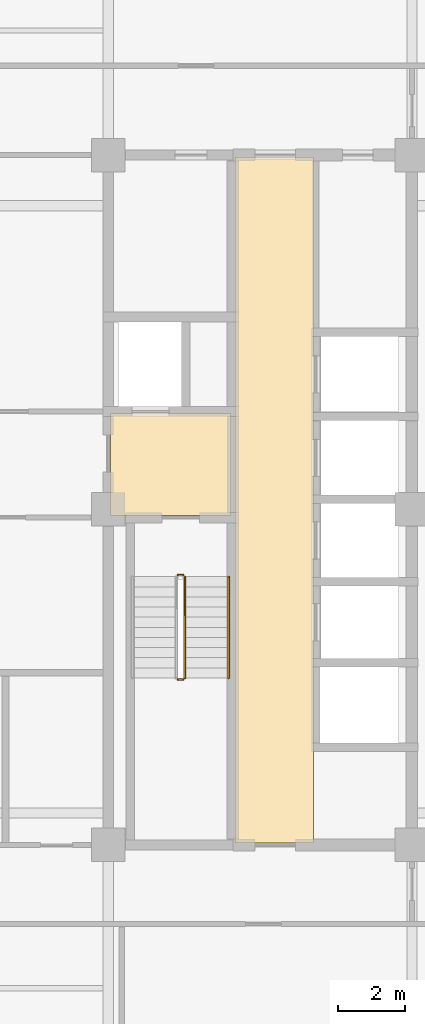
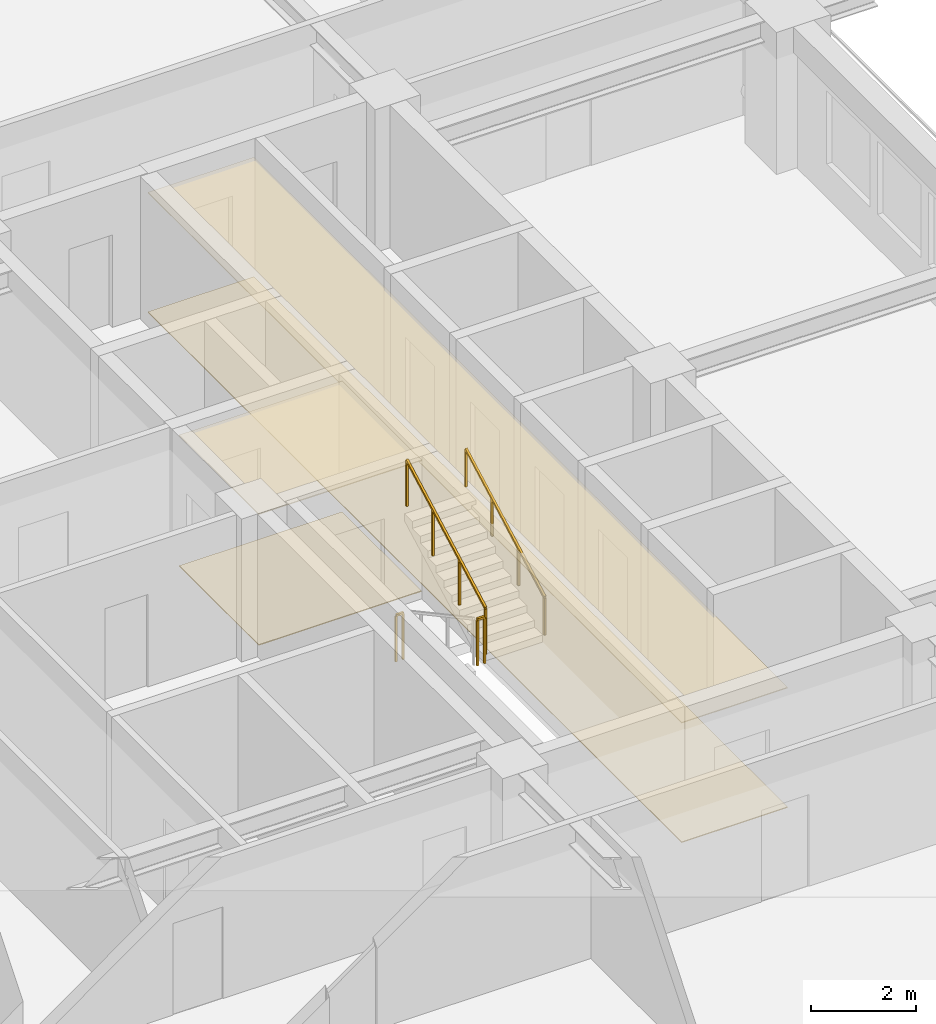
# One storey, part 12 of 13: 4 coverings, 4 railings.
"""IFC4 building model written with IfcOpenShell, lengths in metres."""

from ifc_helpers import new_model, si_unit, direction, frame, origin, origin_2d, place, context, subcontext, project, spatial, polyline, rectangle, outline, extrude, material, layer, layer_set, type_object, element, save


model = new_model("IFC4")

# Units and contexts
model_context = context("Model", 3, precision=1e-05, world=origin(), true_north=direction((0.0, 1.0)))
body_context = subcontext(model_context, "Body", "Model", "MODEL_VIEW")
ifc_project = project(units=[si_unit("LENGTHUNIT", "METRE"), si_unit("AREAUNIT", "SQUARE_METRE"), si_unit("VOLUMEUNIT", "CUBIC_METRE"), si_unit("PLANEANGLEUNIT", "RADIAN"), si_unit("MASSUNIT", "GRAM", prefix="KILO")], contexts=[model_context])

# Site, building, storey
site_placement = place(None, origin())
site = spatial("IfcSite", under=ifc_project, at=site_placement, CompositionType="ELEMENT")
building_placement = place(site_placement, origin())
building = spatial("IfcBuilding", under=site, at=building_placement, Name="Zulmaris Gate Convention Tower", CompositionType="ELEMENT")
storey_placement = place(building_placement, frame((0.0, 0.0, 105.639892578125)))
storey = spatial("IfcBuildingStorey", under=building, at=storey_placement, Name="L26", CompositionType="ELEMENT", Elevation=105.639892578125)

# Coverings
ifc_material_1 = material(Name="Mineral Fibre Acoustic Ceiling Tile")
ifc_layer_1 = layer(ifc_material_1, 0.02001953125, Name="Mineral Fibre Acoustic Ceiling Tile")
ifc_layer_set_1 = layer_set([ifc_layer_1], Name="Mineral Fibre Acoustic Ceiling Tile")
covering_type_1 = type_object("IfcCoveringType", Name="CLG-ACOUSTIC-600", PredefinedType="CEILING", material=ifc_layer_set_1)
covering_1_placement = place(storey_placement, frame((0.0, 0.0, 3.0400390625)))
element("IfcCovering", 1, at=covering_1_placement, inside=storey, type_object=covering_type_1, Name="CLG-L26-R08", PredefinedType="CEILING", context=body_context, shape_type="SweptSolid", body=[
    extrude(outline(polyline([(11.06005859375, -0.18994140625), (14.639892578125, -0.18994140625), (14.639892578125, 2.840087890625), (11.06005859375, 2.840087890625), (11.06005859375, -0.18994140625)])), origin(), (0.0, 0.0, 1.0), 0.02001953125),
])
covering_2_placement = place(storey_placement, frame((0.0, 0.0, 2.778076171875)))
element("IfcCovering", 2, at=covering_2_placement, inside=storey, type_object=covering_type_1, Name="CLG-L26-R21", PredefinedType="CEILING", context=body_context, shape_type="SweptSolid", body=[
    extrude(outline(polyline([(14.760009765625, -9.889892578125), (17.090087890625, -9.889892578125), (17.090087890625, 10.43994140625), (14.760009765625, 10.43994140625), (14.760009765625, -9.889892578125)])), origin(), (0.0, 0.0, 1.0), 0.02001953125),
])
ifc_material_2 = material(Name="Woven Acoustic Wool Carpet Tile")
ifc_layer_2 = layer(ifc_material_2, 0.02001953125, Name="Woven Acoustic Wool Carpet Tile")
ifc_layer_set_2 = layer_set([ifc_layer_2], Name="Woven Acoustic Wool Carpet Tile")
covering_type_2 = type_object("IfcCoveringType", Name="FLR-CARPET-12", PredefinedType="FLOORING", material=ifc_layer_set_2)
covering_3_placement = place(storey_placement, origin())
element("IfcCovering", 3, at=covering_3_placement, inside=storey, type_object=covering_type_2, Name="FLR-L26-R08", PredefinedType="FLOORING", context=body_context, shape_type="SweptSolid", body=[
    extrude(outline(polyline([(11.06005859375, -0.18994140625), (14.639892578125, -0.18994140625), (14.639892578125, 2.840087890625), (11.06005859375, 2.840087890625), (11.06005859375, -0.18994140625)])), origin(), (0.0, 0.0, 1.0), 0.02001953125),
])
covering_4_placement = place(storey_placement, origin())
element("IfcCovering", 4, at=covering_4_placement, inside=storey, type_object=covering_type_2, Name="FLR-L26-R21", PredefinedType="FLOORING", context=body_context, shape_type="SweptSolid", body=[
    extrude(outline(polyline([(14.760009765625, -9.889892578125), (17.090087890625, -9.889892578125), (17.090087890625, 10.43994140625), (14.760009765625, 10.43994140625), (14.760009765625, -9.889892578125)])), origin(), (0.0, 0.0, 1.0), 0.02001953125),
])

# Railings
ifc_material_3 = material(Name="Painted Galvanised Steel", Category="steel")
railing_type_1 = type_object("IfcRailingType", Name="RL-STG-1150", PredefinedType="GUARDRAIL", material=ifc_material_3)
railing_1_placement = place(storey_placement, frame((13.06005859375, -5.050048828125, 1.78515625)))
element("IfcRailing", 5, at=railing_1_placement, inside=storey, type_object=railing_type_1, Name="L26 ST-2 stair guard 2", PredefinedType="GUARDRAIL", context=body_context, shape_type="SweptSolid", body=[
    extrude(rectangle(XDim=0.048095703125, YDim=0.048095703125, at=origin_2d()), frame((0.0, 0.0, 1.076171875), z_axis=(1.0, 0.0, 0.0), x_axis=(0.0, 1.0, 0.0)), (0.0, 0.0, 1.0), 0.159912109375),
    extrude(rectangle(XDim=0.0419921875, YDim=0.0419921875, at=origin_2d()), origin(), (0.0, 0.0, 1.0), 1.052001953125),
    extrude(rectangle(XDim=0.0419921875, YDim=0.0419921875, at=origin_2d()), frame((0.159912109375, 0.0, 0.0)), (0.0, 0.0, 1.0), 1.052001953125),
])
railing_2_placement = place(storey_placement, frame((13.27001953125, -5.0, 1.947265625)))
element("IfcRailing", 6, at=railing_2_placement, inside=storey, type_object=railing_type_1, Name="L26 ST-2 stair guard 3", PredefinedType="GUARDRAIL", context=body_context, shape_type="SweptSolid", body=[
    extrude(rectangle(XDim=0.048095703125, YDim=0.048095703125, at=origin_2d()), frame((0.0, 0.0, 1.076171875), z_axis=(0.0, 0.8795616155, 0.475784998228), x_axis=(-1.0, 0.0, 0.0)), (0.0, 0.0, 1.0), 3.410888671875),
    extrude(rectangle(XDim=0.0419921875, YDim=0.0419921875, at=origin_2d()), origin(), (0.0, 0.0, 1.0), 1.052001953125),
    extrude(rectangle(XDim=0.0419921875, YDim=0.0419921875, at=origin_2d()), frame((0.0, 1.0, 0.541015625)), (0.0, 0.0, 1.0), 1.052001953125),
    extrude(rectangle(XDim=0.0419921875, YDim=0.0419921875, at=origin_2d()), frame((0.0, 2.0, 1.081787109375)), (0.0, 0.0, 1.0), 1.052001953125),
    extrude(rectangle(XDim=0.0419921875, YDim=0.0419921875, at=origin_2d()), frame((0.0, 3.0, 1.622802734375)), (0.0, 0.0, 1.0), 1.052001953125),
])
railing_3_placement = place(storey_placement, frame((13.06005859375, -1.949951171875, 0.0)))
element("IfcRailing", 7, at=railing_3_placement, inside=storey, type_object=railing_type_1, Name="L26 ST-2 stair guard 4", PredefinedType="GUARDRAIL", context=body_context, shape_type="SweptSolid", body=[
    extrude(rectangle(XDim=0.048095703125, YDim=0.048095703125, at=origin_2d()), frame((0.0, 0.0, 1.076171875), z_axis=(1.0, 0.0, 0.0), x_axis=(0.0, 1.0, 0.0)), (0.0, 0.0, 1.0), 0.159912109375),
    extrude(rectangle(XDim=0.0419921875, YDim=0.0419921875, at=origin_2d()), origin(), (0.0, 0.0, 1.0), 1.052001953125),
    extrude(rectangle(XDim=0.0419921875, YDim=0.0419921875, at=origin_2d()), frame((0.159912109375, 0.0, 0.0)), (0.0, 0.0, 1.0), 1.052001953125),
])
ifc_material_4 = material(Name="Brushed Stainless Steel", Category="steel")
railing_type_2 = type_object("IfcRailingType", Name="RL-STH-900", PredefinedType="HANDRAIL", material=ifc_material_4)
railing_4_placement = place(storey_placement, frame((14.570068359375, -5.0, 1.947265625)))
element("IfcRailing", 8, at=railing_4_placement, inside=storey, type_object=railing_type_2, Name="L26 ST-2 stair handrail 2", PredefinedType="HANDRAIL", context=body_context, shape_type="SweptSolid", body=[
    extrude(rectangle(XDim=0.048095703125, YDim=0.048095703125, at=origin_2d()), frame((0.0, 0.0, 0.8759765625), z_axis=(0.0, 0.8795616155, 0.475784998228), x_axis=(-1.0, 0.0, 0.0)), (0.0, 0.0, 1.0), 3.410888671875),
    extrude(rectangle(XDim=0.0419921875, YDim=0.0419921875, at=origin_2d()), origin(), (0.0, 0.0, 1.0), 0.851806640625),
    extrude(rectangle(XDim=0.0419921875, YDim=0.0419921875, at=origin_2d()), frame((0.0, 1.0, 0.541015625)), (0.0, 0.0, 1.0), 0.851806640625),
    extrude(rectangle(XDim=0.0419921875, YDim=0.0419921875, at=origin_2d()), frame((0.0, 2.0, 1.081787109375)), (0.0, 0.0, 1.0), 0.851806640625),
    extrude(rectangle(XDim=0.0419921875, YDim=0.0419921875, at=origin_2d()), frame((0.0, 3.0, 1.622802734375)), (0.0, 0.0, 1.0), 0.851806640625),
])

save(model, "model.ifc")
